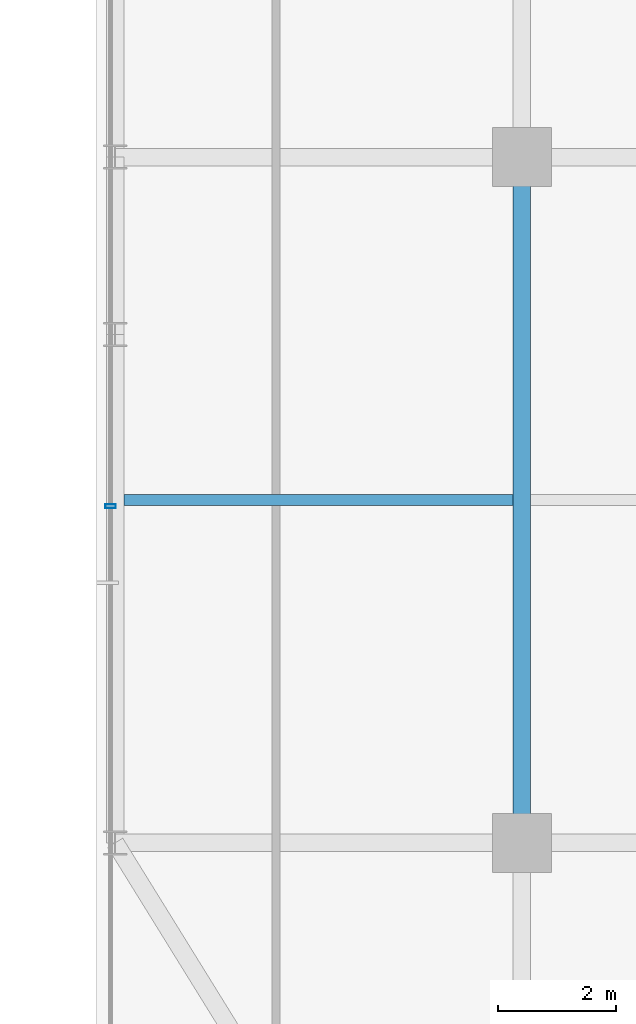
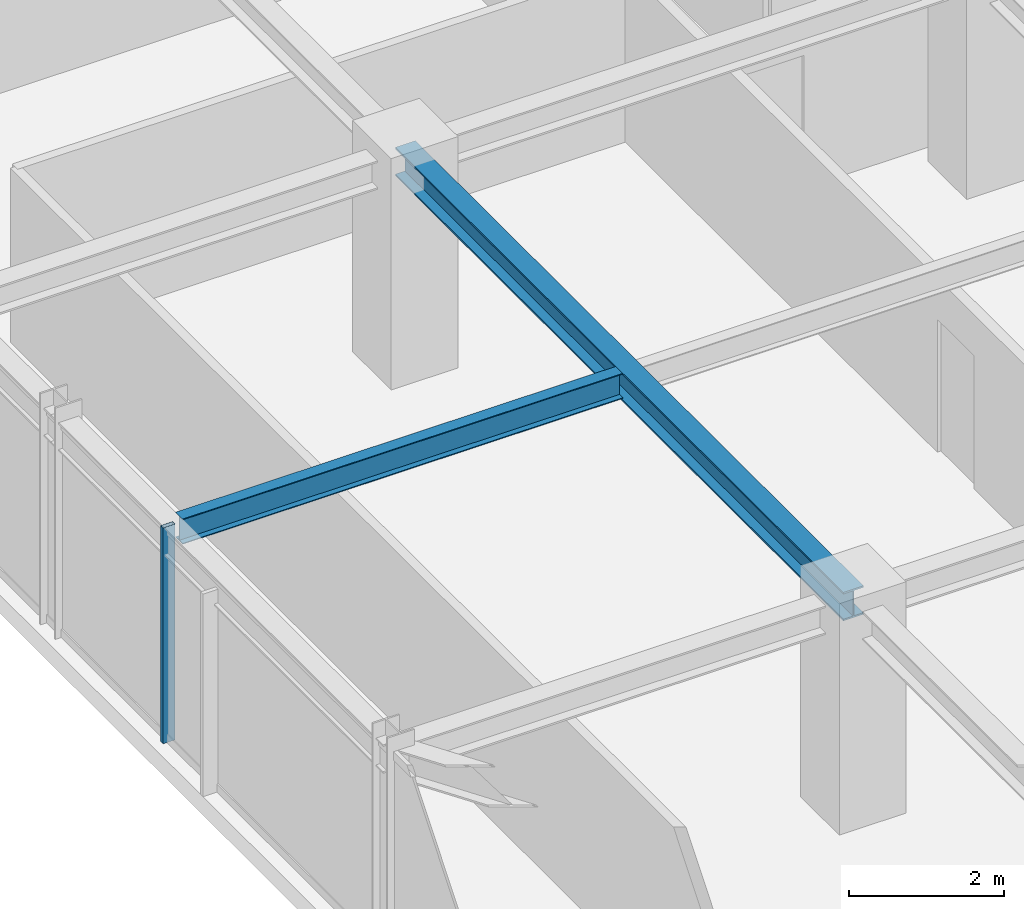
# One storey, part 6 of 36: 2 beams, 1 member, 1 element without a shape of its own.
"""IFC4 building model written with IfcOpenShell, lengths in metres."""

from ifc_helpers import new_model, si_unit, direction, frame, origin, origin_2d, place, context, subcontext, project, spatial, hollow_rectangle, i_section, extrude, source, transform, mapped, material, material_profile, profile_set, type_object, element, aggregate, save


model = new_model("IFC4")

# Units and contexts
model_context = context("Model", 3, precision=1e-05, world=origin(), true_north=direction((0.0, 1.0)))
body_context = subcontext(model_context, "Body", "Model", "MODEL_VIEW")
ifc_project = project(units=[si_unit("LENGTHUNIT", "METRE"), si_unit("AREAUNIT", "SQUARE_METRE"), si_unit("VOLUMEUNIT", "CUBIC_METRE"), si_unit("PLANEANGLEUNIT", "RADIAN"), si_unit("MASSUNIT", "GRAM", prefix="KILO")], contexts=[model_context])

# Site, building, storey
site_placement = place(None, origin())
site = spatial("IfcSite", under=ifc_project, at=site_placement, CompositionType="ELEMENT")
building_placement = place(site_placement, origin())
building = spatial("IfcBuilding", under=site, at=building_placement, Name="Nahalor Promenade Grand Hotel", CompositionType="ELEMENT")
storey_placement = place(building_placement, frame((0.0, 0.0, 212.300048828125)))
storey = spatial("IfcBuildingStorey", under=building, at=storey_placement, Name="L54", CompositionType="ELEMENT", Elevation=212.300048828125)

# Beams
ifc_material_1 = material(Name="Steel S355JR", Category="steel")
ifc_material_profile_1 = material_profile(ifc_material_1, i_section(OverallWidth=0.3, OverallDepth=0.45, WebThickness=0.014, FlangeThickness=0.026, at=origin_2d()), Name="HEB 450")
ifc_profile_set_1 = profile_set([ifc_material_profile_1], Name="Steel S355JR")
beam_type_1 = type_object("IfcBeamType", Name="Beam-Girder-HEB450", PredefinedType="BEAM", material=ifc_profile_set_1)
shared_shape_1 = source(origin(), body_context, "Body", "SweptSolid", [
    extrude(i_section(OverallWidth=0.3, OverallDepth=0.45, WebThickness=0.014, FlangeThickness=0.026, at=origin_2d()), origin(), (0.0, 0.0, 1.0), 11.60009765625),
])
beam_1_placement = place(storey_placement, frame((-17.0, -17.0, 3.18505859375), z_axis=(0.0, 1.0, 0.0), x_axis=(-1.0, 0.0, 0.0)))
element("IfcBeam", 1, at=beam_1_placement, inside=storey, type_object=beam_type_1, Name="BM-L54-GY-0-1", PredefinedType="BEAM", context=body_context, shape_type="MappedRepresentation", body=[
    mapped(shared_shape_1, transform((0.0, 0.0, 0.0), scale=1.0)),
])
ifc_material_profile_2 = material_profile(ifc_material_1, i_section(OverallWidth=0.18, OverallDepth=0.4, WebThickness=0.0086, FlangeThickness=0.0135, at=origin_2d()), Name="IPE 400")
ifc_profile_set_2 = profile_set([ifc_material_profile_2], Name="Steel S355JR")
beam_type_2 = type_object("IfcBeamType", Name="Beam-Joist-IPE400", PredefinedType="JOIST", material=ifc_profile_set_2)
shared_shape_2 = source(origin(), body_context, "Body", "SweptSolid", [
    extrude(i_section(OverallWidth=0.18, OverallDepth=0.4, WebThickness=0.0086, FlangeThickness=0.0135, at=origin_2d()), origin(), (0.0, 0.0, 1.0), 6.580078125),
])
beam_2_placement = place(storey_placement, frame((-23.72998046875, -11.199951171875, 3.2099609375), z_axis=(1.0, 0.0, 0.0), x_axis=(0.0, 1.0, 0.0)))
element("IfcBeam", 2, at=beam_2_placement, inside=storey, type_object=beam_type_2, Name="BM-L54-JSW-0-0", PredefinedType="JOIST", context=body_context, shape_type="MappedRepresentation", body=[
    mapped(shared_shape_2, transform((0.0, 0.0, 0.0), scale=1.0)),
])

# Curtain wall, member
ifc_material_2 = material(Name="Anodised Bronze Aluminium EN AW-6063 T6", Category="aluminium")
curtain_wall_type = type_object("IfcCurtainWallType", Name="CW2 Typical Hotel Flush Bronze Unitised Curtain Wall", PredefinedType="USERDEFINED", material=ifc_material_2)
curtain_wall_placement = place(storey_placement, origin())
curtain_wall = element("IfcCurtainWall", 3, at=curtain_wall_placement, inside=storey, type_object=curtain_wall_type, Name="L54 Curtain Wall CW-L54-W-1", ObjectType="UNITISED_CURTAIN_WALL", PredefinedType="USERDEFINED")
ifc_material_profile_3 = material_profile(ifc_material_2, hollow_rectangle(XDim=0.065, YDim=0.18, WallThickness=0.004, at=origin_2d()), Name="CWM 65x180x4")
ifc_profile_set_3 = profile_set([ifc_material_profile_3], Name="Anodised Bronze Aluminium EN AW-6063 T6")
member_type = type_object("IfcMemberType", Name="CWM2 Typical Bronze Mullion 65x180", PredefinedType="MULLION", material=ifc_profile_set_3)
shared_shape_3 = source(origin(), body_context, "Body", "SweptSolid", [
    extrude(hollow_rectangle(XDim=0.065, YDim=0.18, WallThickness=0.004, at=origin_2d()), origin(), (0.0, 0.0, 1.0), 3.409912109375),
])
member_placement = place(storey_placement, frame((-23.9599609375, -11.306640625, 0.0), z_axis=(0.0, 0.0, 1.0), x_axis=(0.0, 1.0, 0.0)))
member = element("IfcMember", 4, at=member_placement, type_object=member_type, Name="CW-L54-W-1 Mullion 1", PredefinedType="MULLION", context=body_context, shape_type="MappedRepresentation", body=[
    mapped(shared_shape_3, transform((0.0, 0.0, 0.0), scale=1.0)),
])
aggregate(curtain_wall, [member])

save(model, "model.ifc")
